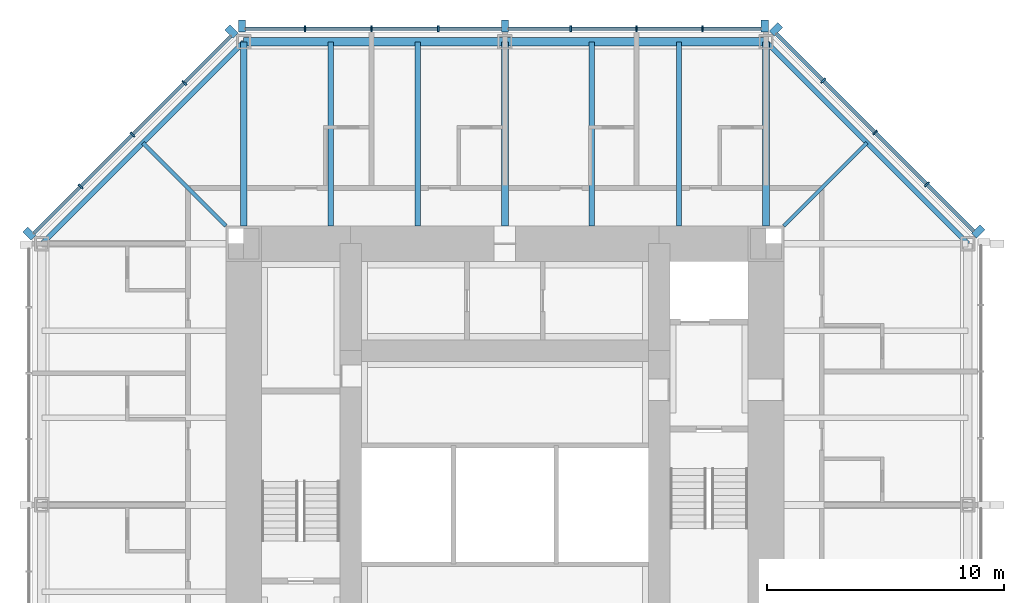
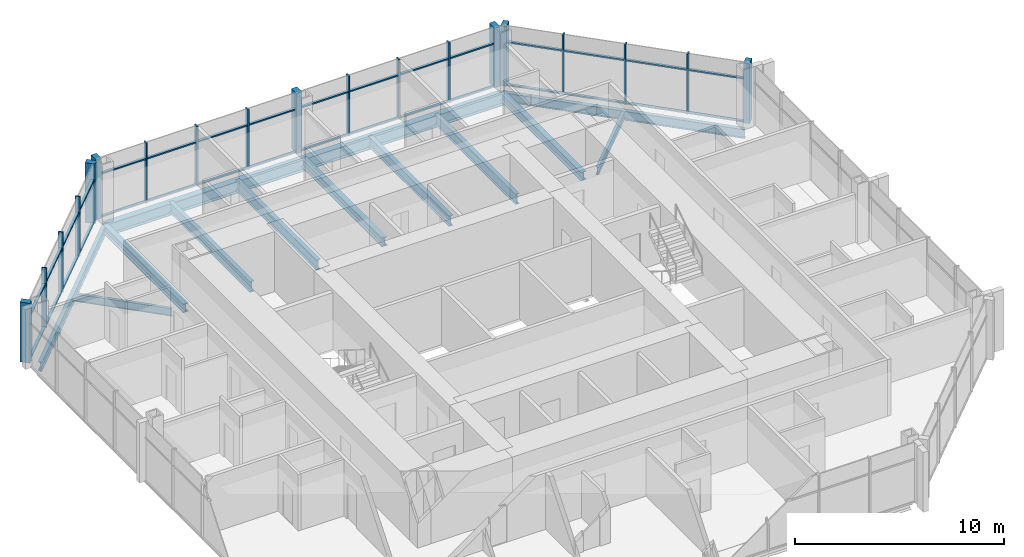
# One storey, part 5 of 12: 51 members, 13 beams, 3 elements without a shape of their own.
"""IFC4 building model written with IfcOpenShell, lengths in metres."""

from ifc_helpers import new_model, si_unit, direction, frame, origin, origin_2d, place, context, subcontext, project, spatial, rectangle, i_section, extrude, material, material_profile, profile_set, type_object, element, aggregate, save


model = new_model("IFC4")

# Units and contexts
model_context = context("Model", 3, precision=1e-05, world=origin(), true_north=direction((0.0, 1.0)))
body_context = subcontext(model_context, "Body", "Model", "MODEL_VIEW")
ifc_project = project(units=[si_unit("LENGTHUNIT", "METRE"), si_unit("AREAUNIT", "SQUARE_METRE"), si_unit("VOLUMEUNIT", "CUBIC_METRE"), si_unit("PLANEANGLEUNIT", "RADIAN"), si_unit("MASSUNIT", "GRAM", prefix="KILO")], contexts=[model_context])

# Site, building, storey
site_placement = place(None, origin())
site = spatial("IfcSite", under=ifc_project, at=site_placement, CompositionType="ELEMENT")
building_placement = place(site_placement, origin())
building = spatial("IfcBuilding", under=site, at=building_placement, Name="Trevanion Tower", CompositionType="ELEMENT")
storey_placement = place(building_placement, frame((0.0, 0.0, 197.699951171875)))
storey = spatial("IfcBuildingStorey", under=building, at=storey_placement, Name="L46", CompositionType="ELEMENT", Elevation=197.699951171875)

# Beams
ifc_material_1 = material(Name="Steel ASTM A992 Grade 50", Category="steel")
ifc_material_profile_1 = material_profile(ifc_material_1, i_section(OverallWidth=0.228271484375, OverallDepth=0.607177734375, WebThickness=0.01123046875, FlangeThickness=0.017333984375, at=origin_2d()), Name="W24X76")
ifc_profile_set_1 = profile_set([ifc_material_profile_1], Name="Steel ASTM A992 Grade 50")
beam_type_1 = type_object("IfcBeamType", Name="B11 W24X76", PredefinedType="BEAM", material=ifc_profile_set_1)
for number, where, z_axis, x_axis, name in (
    (1, (7.333251953125, 11.75, -0.493408203125), (0.0, 1.0, 0.0), (-1.0, 0.0, 0.0), "B11 L46"),
    (2, (3.666748046875, 11.75, -0.493408203125), (0.0, 1.0, 0.0), (-1.0, 0.0, 0.0), "B11 L46"),
    (3, (-3.666748046875, 11.75, -0.493408203125), (0.0, 1.0, 0.0), (-1.0, 0.0, 0.0), "B11 L46"),
    (4, (-7.333251953125, 11.75, -0.493408203125), (0.0, 1.0, 0.0), (-1.0, 0.0, 0.0), "B11 L46"),
):
    element("IfcBeam", number, at=place(storey_placement, frame(where, z_axis=z_axis, x_axis=x_axis)), inside=storey, type_object=beam_type_1, Name=name, PredefinedType="BEAM", context=body_context, shape_type="SweptSolid", body=[
        extrude(i_section(OverallWidth=0.228271484375, OverallDepth=0.607177734375, WebThickness=0.01123046875, FlangeThickness=0.017333984375, at=origin_2d()), origin(), (0.0, 0.0, 1.0), 7.75),
    ])
ifc_material_2 = material(Name="Steel ASTM A992 Grade 50", Category="steel")
ifc_material_profile_2 = material_profile(ifc_material_2, i_section(OverallWidth=0.15234375, OverallDepth=0.449462890625, WebThickness=0.007568359375, FlangeThickness=0.0107421875, at=origin_2d()), Name="W18X35")
ifc_profile_set_2 = profile_set([ifc_material_profile_2], Name="Steel ASTM A992 Grade 50")
beam_type_2 = type_object("IfcBeamType", Name="B12 W18X35", PredefinedType="BEAM", material=ifc_profile_set_2)
for number, where, z_axis, x_axis, name in (
    (5, (11.75, 11.75, -0.414794921875), (0.707106781187, 0.707106781187, 0.0), (-0.707106781187, 0.707106781187, 0.0), "B12 L46"),
    (6, (-11.75, 11.75, -0.414794921875), (-0.707106781187, 0.707106781187, 0.0), (-0.707106781187, -0.707106781187, 0.0), "B12 L46"),
):
    element("IfcBeam", number, at=place(storey_placement, frame(where, z_axis=z_axis, x_axis=x_axis)), inside=storey, type_object=beam_type_2, Name=name, PredefinedType="BEAM", context=body_context, shape_type="SweptSolid", body=[
        extrude(i_section(OverallWidth=0.15234375, OverallDepth=0.449462890625, WebThickness=0.007568359375, FlangeThickness=0.0107421875, at=origin_2d()), origin(), (0.0, 0.0, 1.0), 4.94970703125),
    ])

# Curtain wall, members
ifc_material_3 = material(Name="Aluminium and glass", Category="aluminium")
curtain_wall_type = type_object("IfcCurtainWallType", Name="CW3 curtain wall", PredefinedType="USERDEFINED", material=ifc_material_3)
curtain_wall_1_placement = place(storey_placement, origin())
curtain_wall_1 = element("IfcCurtainWall", 7, at=curtain_wall_1_placement, inside=storey, type_object=curtain_wall_type, Name="CW3 L46 1", ObjectType="UNITISED CURTAIN WALL", PredefinedType="USERDEFINED")
ifc_material_4 = material(Name="Aluminium extrusion, anodised bronze", Category="aluminium")
ifc_material_profile_3 = material_profile(ifc_material_4, rectangle(XDim=0.074951171875, YDim=0.25, at=origin_2d()), Name="CW3 mullion")
ifc_profile_set_3 = profile_set([ifc_material_profile_3], Name="Aluminium extrusion, anodised bronze")
member_type_1 = type_object("IfcMemberType", Name="CW3 mullion", PredefinedType="MULLION", material=ifc_profile_set_3)
member_1_placement = place(storey_placement, frame((17.775390625, 13.502197265625, -0.18994140625), z_axis=(0.0, 0.0, 1.0), x_axis=(-0.707106781187, 0.707106781187, 0.0)))
member_1 = element("IfcMember", 8, at=member_1_placement, type_object=member_type_1, Name="CW3 mullion 2", PredefinedType="MULLION", context=body_context, shape_type="SweptSolid", body=[
    extrude(rectangle(XDim=0.074951171875, YDim=0.25, at=origin_2d()), origin(), (0.0, 0.0, 1.0), 3.5),
])
member_2_placement = place(storey_placement, frame((15.593017578125, 15.684814453125, -0.18994140625), z_axis=(0.0, 0.0, 1.0), x_axis=(-0.707106781187, 0.707106781187, 0.0)))
member_2 = element("IfcMember", 9, at=member_2_placement, type_object=member_type_1, Name="CW3 mullion 3", PredefinedType="MULLION", context=body_context, shape_type="SweptSolid", body=[
    extrude(rectangle(XDim=0.074951171875, YDim=0.25, at=origin_2d()), origin(), (0.0, 0.0, 1.0), 3.5),
])
member_3_placement = place(storey_placement, frame((13.410400390625, 17.867431640625, -0.18994140625), z_axis=(0.0, 0.0, 1.0), x_axis=(-0.707106781187, 0.707106781187, 0.0)))
member_3 = element("IfcMember", 10, at=member_3_placement, type_object=member_type_1, Name="CW3 mullion 4", PredefinedType="MULLION", context=body_context, shape_type="SweptSolid", body=[
    extrude(rectangle(XDim=0.074951171875, YDim=0.25, at=origin_2d()), origin(), (0.0, 0.0, 1.0), 3.5),
])

curtain_wall_2_placement = place(storey_placement, origin())
curtain_wall_2 = element("IfcCurtainWall", 11, at=curtain_wall_2_placement, inside=storey, type_object=curtain_wall_type, Name="CW3 L46 2", ObjectType="UNITISED CURTAIN WALL", PredefinedType="USERDEFINED")
member_4_placement = place(storey_placement, frame((8.323486328125, 20.050048828125, -0.18994140625), z_axis=(0.0, 0.0, 1.0), x_axis=(-1.0, 0.0, 0.0)))
member_4 = element("IfcMember", 12, at=member_4_placement, type_object=member_type_1, Name="CW3 mullion 2", PredefinedType="MULLION", context=body_context, shape_type="SweptSolid", body=[
    extrude(rectangle(XDim=0.074951171875, YDim=0.25, at=origin_2d()), origin(), (0.0, 0.0, 1.0), 3.5),
])
member_5_placement = place(storey_placement, frame((5.548828125, 20.050048828125, -0.18994140625), z_axis=(0.0, 0.0, 1.0), x_axis=(-1.0, 0.0, 0.0)))
member_5 = element("IfcMember", 13, at=member_5_placement, type_object=member_type_1, Name="CW3 mullion 3", PredefinedType="MULLION", context=body_context, shape_type="SweptSolid", body=[
    extrude(rectangle(XDim=0.074951171875, YDim=0.25, at=origin_2d()), origin(), (0.0, 0.0, 1.0), 3.5),
])
member_6_placement = place(storey_placement, frame((2.7744140625, 20.050048828125, -0.18994140625), z_axis=(0.0, 0.0, 1.0), x_axis=(-1.0, 0.0, 0.0)))
member_6 = element("IfcMember", 14, at=member_6_placement, type_object=member_type_1, Name="CW3 mullion 4", PredefinedType="MULLION", context=body_context, shape_type="SweptSolid", body=[
    extrude(rectangle(XDim=0.074951171875, YDim=0.25, at=origin_2d()), origin(), (0.0, 0.0, 1.0), 3.5),
])
member_7_placement = place(storey_placement, frame((-2.806884765625, 20.050048828125, -0.18994140625), z_axis=(0.0, 0.0, 1.0), x_axis=(-1.0, 0.0, 0.0)))
member_7 = element("IfcMember", 15, at=member_7_placement, type_object=member_type_1, Name="CW3 mullion 6", PredefinedType="MULLION", context=body_context, shape_type="SweptSolid", body=[
    extrude(rectangle(XDim=0.074951171875, YDim=0.25, at=origin_2d()), origin(), (0.0, 0.0, 1.0), 3.5),
])
member_8_placement = place(storey_placement, frame((-5.614013671875, 20.050048828125, -0.18994140625), z_axis=(0.0, 0.0, 1.0), x_axis=(-1.0, 0.0, 0.0)))
member_8 = element("IfcMember", 16, at=member_8_placement, type_object=member_type_1, Name="CW3 mullion 7", PredefinedType="MULLION", context=body_context, shape_type="SweptSolid", body=[
    extrude(rectangle(XDim=0.074951171875, YDim=0.25, at=origin_2d()), origin(), (0.0, 0.0, 1.0), 3.5),
])
member_9_placement = place(storey_placement, frame((-8.4208984375, 20.050048828125, -0.18994140625), z_axis=(0.0, 0.0, 1.0), x_axis=(-1.0, 0.0, 0.0)))
member_9 = element("IfcMember", 17, at=member_9_placement, type_object=member_type_1, Name="CW3 mullion 8", PredefinedType="MULLION", context=body_context, shape_type="SweptSolid", body=[
    extrude(rectangle(XDim=0.074951171875, YDim=0.25, at=origin_2d()), origin(), (0.0, 0.0, 1.0), 3.5),
])

curtain_wall_3_placement = place(storey_placement, origin())
curtain_wall_3 = element("IfcCurtainWall", 18, at=curtain_wall_3_placement, inside=storey, type_object=curtain_wall_type, Name="CW3 L46 3", ObjectType="UNITISED CURTAIN WALL", PredefinedType="USERDEFINED")
member_10_placement = place(storey_placement, frame((-13.502197265625, 17.775390625, -0.18994140625), z_axis=(0.0, 0.0, 1.0), x_axis=(-0.707106781187, -0.707106781187, 0.0)))
member_10 = element("IfcMember", 19, at=member_10_placement, type_object=member_type_1, Name="CW3 mullion 2", PredefinedType="MULLION", context=body_context, shape_type="SweptSolid", body=[
    extrude(rectangle(XDim=0.074951171875, YDim=0.25, at=origin_2d()), origin(), (0.0, 0.0, 1.0), 3.5),
])
member_11_placement = place(storey_placement, frame((-15.684814453125, 15.593017578125, -0.18994140625), z_axis=(0.0, 0.0, 1.0), x_axis=(-0.707106781187, -0.707106781187, 0.0)))
member_11 = element("IfcMember", 20, at=member_11_placement, type_object=member_type_1, Name="CW3 mullion 3", PredefinedType="MULLION", context=body_context, shape_type="SweptSolid", body=[
    extrude(rectangle(XDim=0.074951171875, YDim=0.25, at=origin_2d()), origin(), (0.0, 0.0, 1.0), 3.5),
])
member_12_placement = place(storey_placement, frame((-17.867431640625, 13.410400390625, -0.18994140625), z_axis=(0.0, 0.0, 1.0), x_axis=(-0.707106781187, -0.707106781187, 0.0)))
member_12 = element("IfcMember", 21, at=member_12_placement, type_object=member_type_1, Name="CW3 mullion 4", PredefinedType="MULLION", context=body_context, shape_type="SweptSolid", body=[
    extrude(rectangle(XDim=0.074951171875, YDim=0.25, at=origin_2d()), origin(), (0.0, 0.0, 1.0), 3.5),
])

# Member
ifc_material_5 = material(Name="Aluminium extrusion, anodised bronze", Category="aluminium")
ifc_material_profile_4 = material_profile(ifc_material_5, rectangle(XDim=0.300048828125, YDim=0.5, at=origin_2d()), Name="CW3 pier mullion")
ifc_profile_set_4 = profile_set([ifc_material_profile_4], Name="Aluminium extrusion, anodised bronze")
member_type_2 = type_object("IfcMemberType", Name="CW3 pier mullion", PredefinedType="MULLION", material=ifc_profile_set_4)
member_13_placement = place(storey_placement, frame((19.9404296875, 11.51416015625, -0.18994140625), z_axis=(0.0, 0.0, 1.0), x_axis=(-0.707106781187, 0.707106781187, 0.0)))
member_13 = element("IfcMember", 22, at=member_13_placement, type_object=member_type_2, Name="CW3 pier mullion 1", PredefinedType="MULLION", context=body_context, shape_type="SweptSolid", body=[
    extrude(rectangle(XDim=0.300048828125, YDim=0.5, at=origin_2d()), origin(), (0.0, 0.0, 1.0), 3.5),
])

member_14_placement = place(storey_placement, frame((11.42236328125, 20.0322265625, -0.18994140625), z_axis=(0.0, 0.0, 1.0), x_axis=(-0.707106781187, 0.707106781187, 0.0)))
member_14 = element("IfcMember", 23, at=member_14_placement, type_object=member_type_2, Name="CW3 pier mullion 5", PredefinedType="MULLION", context=body_context, shape_type="SweptSolid", body=[
    extrude(rectangle(XDim=0.300048828125, YDim=0.5, at=origin_2d()), origin(), (0.0, 0.0, 1.0), 3.5),
])

member_15_placement = place(storey_placement, frame((10.94775390625, 20.175048828125, -0.18994140625), z_axis=(0.0, 0.0, 1.0), x_axis=(-1.0, 0.0, 0.0)))
member_15 = element("IfcMember", 24, at=member_15_placement, type_object=member_type_2, Name="CW3 pier mullion 1", PredefinedType="MULLION", context=body_context, shape_type="SweptSolid", body=[
    extrude(rectangle(XDim=0.300048828125, YDim=0.5, at=origin_2d()), origin(), (0.0, 0.0, 1.0), 3.5),
])

member_16_placement = place(storey_placement, frame((0.0, 20.175048828125, -0.18994140625), z_axis=(0.0, 0.0, 1.0), x_axis=(-1.0, 0.0, 0.0)))
member_16 = element("IfcMember", 25, at=member_16_placement, type_object=member_type_2, Name="CW3 pier mullion 5", PredefinedType="MULLION", context=body_context, shape_type="SweptSolid", body=[
    extrude(rectangle(XDim=0.300048828125, YDim=0.5, at=origin_2d()), origin(), (0.0, 0.0, 1.0), 3.5),
])

member_17_placement = place(storey_placement, frame((-11.077880859375, 20.175048828125, -0.18994140625), z_axis=(0.0, 0.0, 1.0), x_axis=(-1.0, 0.0, 0.0)))
member_17 = element("IfcMember", 26, at=member_17_placement, type_object=member_type_2, Name="CW3 pier mullion 9", PredefinedType="MULLION", context=body_context, shape_type="SweptSolid", body=[
    extrude(rectangle(XDim=0.300048828125, YDim=0.5, at=origin_2d()), origin(), (0.0, 0.0, 1.0), 3.5),
])

member_18_placement = place(storey_placement, frame((-11.51416015625, 19.9404296875, -0.18994140625), z_axis=(0.0, 0.0, 1.0), x_axis=(-0.707106781187, -0.707106781187, 0.0)))
member_18 = element("IfcMember", 27, at=member_18_placement, type_object=member_type_2, Name="CW3 pier mullion 1", PredefinedType="MULLION", context=body_context, shape_type="SweptSolid", body=[
    extrude(rectangle(XDim=0.300048828125, YDim=0.5, at=origin_2d()), origin(), (0.0, 0.0, 1.0), 3.5),
])

member_19_placement = place(storey_placement, frame((-20.0322265625, 11.42236328125, -0.18994140625), z_axis=(0.0, 0.0, 1.0), x_axis=(-0.707106781187, -0.707106781187, 0.0)))
member_19 = element("IfcMember", 28, at=member_19_placement, type_object=member_type_2, Name="CW3 pier mullion 5", PredefinedType="MULLION", context=body_context, shape_type="SweptSolid", body=[
    extrude(rectangle(XDim=0.300048828125, YDim=0.5, at=origin_2d()), origin(), (0.0, 0.0, 1.0), 3.5),
])

ifc_material_6 = material(Name="Aluminium extrusion, anodised bronze", Category="aluminium")
ifc_material_profile_5 = material_profile(ifc_material_6, rectangle(XDim=0.14990234375, YDim=0.074951171875, at=origin_2d()), Name="CW3 transom")
ifc_profile_set_5 = profile_set([ifc_material_profile_5], Name="Aluminium extrusion, anodised bronze")
member_type_3 = type_object("IfcMemberType", Name="CW3 transom", PredefinedType="USERDEFINED", material=ifc_profile_set_5)
member_20_placement = place(storey_placement, frame((19.745849609375, 11.531982421875, -0.15234375), z_axis=(-0.707106781187, 0.707106781187, 0.0), x_axis=(-0.707106781187, -0.707106781187, 0.0)))
member_20 = element("IfcMember", 29, at=member_20_placement, type_object=member_type_3, Name="CW3 transom 1.1", ObjectType="TRANSOM", PredefinedType="USERDEFINED", context=body_context, shape_type="SweptSolid", body=[
    extrude(rectangle(XDim=0.14990234375, YDim=0.074951171875, at=origin_2d()), origin(), (0.0, 0.0, 1.0), 2.7490234375),
])

member_21_placement = place(storey_placement, frame((19.745849609375, 11.531982421875, 2.360107421875), z_axis=(-0.707106781187, 0.707106781187, 0.0), x_axis=(-0.707106781187, -0.707106781187, 0.0)))
member_21 = element("IfcMember", 30, at=member_21_placement, type_object=member_type_3, Name="CW3 transom 1.2", ObjectType="TRANSOM", PredefinedType="USERDEFINED", context=body_context, shape_type="SweptSolid", body=[
    extrude(rectangle(XDim=0.14990234375, YDim=0.074951171875, at=origin_2d()), origin(), (0.0, 0.0, 1.0), 2.7490234375),
])

member_22_placement = place(storey_placement, frame((17.7490234375, 13.52880859375, -0.15234375), z_axis=(-0.707106781187, 0.707106781187, 0.0), x_axis=(-0.707106781187, -0.707106781187, 0.0)))
member_22 = element("IfcMember", 31, at=member_22_placement, type_object=member_type_3, Name="CW3 transom 2.1", ObjectType="TRANSOM", PredefinedType="USERDEFINED", context=body_context, shape_type="SweptSolid", body=[
    extrude(rectangle(XDim=0.14990234375, YDim=0.074951171875, at=origin_2d()), origin(), (0.0, 0.0, 1.0), 3.01171875),
])

member_23_placement = place(storey_placement, frame((17.7490234375, 13.52880859375, 2.360107421875), z_axis=(-0.707106781187, 0.707106781187, 0.0), x_axis=(-0.707106781187, -0.707106781187, 0.0)))
member_23 = element("IfcMember", 32, at=member_23_placement, type_object=member_type_3, Name="CW3 transom 2.2", ObjectType="TRANSOM", PredefinedType="USERDEFINED", context=body_context, shape_type="SweptSolid", body=[
    extrude(rectangle(XDim=0.14990234375, YDim=0.074951171875, at=origin_2d()), origin(), (0.0, 0.0, 1.0), 3.01171875),
])

member_24_placement = place(storey_placement, frame((15.56640625, 15.71142578125, -0.15234375), z_axis=(-0.707106781187, 0.707106781187, 0.0), x_axis=(-0.707106781187, -0.707106781187, 0.0)))
member_24 = element("IfcMember", 33, at=member_24_placement, type_object=member_type_3, Name="CW3 transom 3.1", ObjectType="TRANSOM", PredefinedType="USERDEFINED", context=body_context, shape_type="SweptSolid", body=[
    extrude(rectangle(XDim=0.14990234375, YDim=0.074951171875, at=origin_2d()), origin(), (0.0, 0.0, 1.0), 3.011474609375),
])

member_25_placement = place(storey_placement, frame((15.56640625, 15.71142578125, 2.360107421875), z_axis=(-0.707106781187, 0.707106781187, 0.0), x_axis=(-0.707106781187, -0.707106781187, 0.0)))
member_25 = element("IfcMember", 34, at=member_25_placement, type_object=member_type_3, Name="CW3 transom 3.2", ObjectType="TRANSOM", PredefinedType="USERDEFINED", context=body_context, shape_type="SweptSolid", body=[
    extrude(rectangle(XDim=0.14990234375, YDim=0.074951171875, at=origin_2d()), origin(), (0.0, 0.0, 1.0), 3.011474609375),
])

member_26_placement = place(storey_placement, frame((13.3837890625, 17.89404296875, -0.15234375), z_axis=(-0.707106781187, 0.707106781187, 0.0), x_axis=(-0.707106781187, -0.707106781187, 0.0)))
member_26 = element("IfcMember", 35, at=member_26_placement, type_object=member_type_3, Name="CW3 transom 4.1", ObjectType="TRANSOM", PredefinedType="USERDEFINED", context=body_context, shape_type="SweptSolid", body=[
    extrude(rectangle(XDim=0.14990234375, YDim=0.074951171875, at=origin_2d()), origin(), (0.0, 0.0, 1.0), 2.7490234375),
])

member_27_placement = place(storey_placement, frame((13.3837890625, 17.89404296875, 2.360107421875), z_axis=(-0.707106781187, 0.707106781187, 0.0), x_axis=(-0.707106781187, -0.707106781187, 0.0)))
member_27 = element("IfcMember", 36, at=member_27_placement, type_object=member_type_3, Name="CW3 transom 4.2", ObjectType="TRANSOM", PredefinedType="USERDEFINED", context=body_context, shape_type="SweptSolid", body=[
    extrude(rectangle(XDim=0.14990234375, YDim=0.074951171875, at=origin_2d()), origin(), (0.0, 0.0, 1.0), 2.7490234375),
])

aggregate(curtain_wall_1, [member_13, member_1, member_2, member_3, member_14, member_20, member_21, member_22, member_23, member_24, member_25, member_26, member_27])

member_28_placement = place(storey_placement, frame((10.7978515625, 20.050048828125, -0.15234375), z_axis=(-1.0, 0.0, 0.0), x_axis=(0.0, -1.0, 0.0)))
member_28 = element("IfcMember", 37, at=member_28_placement, type_object=member_type_3, Name="CW3 transom 1.1", ObjectType="TRANSOM", PredefinedType="USERDEFINED", context=body_context, shape_type="SweptSolid", body=[
    extrude(rectangle(XDim=0.14990234375, YDim=0.074951171875, at=origin_2d()), origin(), (0.0, 0.0, 1.0), 2.43701171875),
])

member_29_placement = place(storey_placement, frame((10.7978515625, 20.050048828125, 2.360107421875), z_axis=(-1.0, 0.0, 0.0), x_axis=(0.0, -1.0, 0.0)))
member_29 = element("IfcMember", 38, at=member_29_placement, type_object=member_type_3, Name="CW3 transom 1.2", ObjectType="TRANSOM", PredefinedType="USERDEFINED", context=body_context, shape_type="SweptSolid", body=[
    extrude(rectangle(XDim=0.14990234375, YDim=0.074951171875, at=origin_2d()), origin(), (0.0, 0.0, 1.0), 2.43701171875),
])

member_30_placement = place(storey_placement, frame((8.285888671875, 20.050048828125, -0.15234375), z_axis=(-1.0, 0.0, 0.0), x_axis=(0.0, -1.0, 0.0)))
member_30 = element("IfcMember", 39, at=member_30_placement, type_object=member_type_3, Name="CW3 transom 2.1", ObjectType="TRANSOM", PredefinedType="USERDEFINED", context=body_context, shape_type="SweptSolid", body=[
    extrude(rectangle(XDim=0.14990234375, YDim=0.074951171875, at=origin_2d()), origin(), (0.0, 0.0, 1.0), 2.699462890625),
])

member_31_placement = place(storey_placement, frame((8.285888671875, 20.050048828125, 2.360107421875), z_axis=(-1.0, 0.0, 0.0), x_axis=(0.0, -1.0, 0.0)))
member_31 = element("IfcMember", 40, at=member_31_placement, type_object=member_type_3, Name="CW3 transom 2.2", ObjectType="TRANSOM", PredefinedType="USERDEFINED", context=body_context, shape_type="SweptSolid", body=[
    extrude(rectangle(XDim=0.14990234375, YDim=0.074951171875, at=origin_2d()), origin(), (0.0, 0.0, 1.0), 2.699462890625),
])

member_32_placement = place(storey_placement, frame((5.511474609375, 20.050048828125, -0.15234375), z_axis=(-1.0, 0.0, 0.0), x_axis=(0.0, -1.0, 0.0)))
member_32 = element("IfcMember", 41, at=member_32_placement, type_object=member_type_3, Name="CW3 transom 3.1", ObjectType="TRANSOM", PredefinedType="USERDEFINED", context=body_context, shape_type="SweptSolid", body=[
    extrude(rectangle(XDim=0.14990234375, YDim=0.074951171875, at=origin_2d()), origin(), (0.0, 0.0, 1.0), 2.699462890625),
])

member_33_placement = place(storey_placement, frame((5.511474609375, 20.050048828125, 2.360107421875), z_axis=(-1.0, 0.0, 0.0), x_axis=(0.0, -1.0, 0.0)))
member_33 = element("IfcMember", 42, at=member_33_placement, type_object=member_type_3, Name="CW3 transom 3.2", ObjectType="TRANSOM", PredefinedType="USERDEFINED", context=body_context, shape_type="SweptSolid", body=[
    extrude(rectangle(XDim=0.14990234375, YDim=0.074951171875, at=origin_2d()), origin(), (0.0, 0.0, 1.0), 2.699462890625),
])

member_34_placement = place(storey_placement, frame((2.737060546875, 20.050048828125, -0.15234375), z_axis=(-1.0, 0.0, 0.0), x_axis=(0.0, -1.0, 0.0)))
member_34 = element("IfcMember", 43, at=member_34_placement, type_object=member_type_3, Name="CW3 transom 4.1", ObjectType="TRANSOM", PredefinedType="USERDEFINED", context=body_context, shape_type="SweptSolid", body=[
    extrude(rectangle(XDim=0.14990234375, YDim=0.074951171875, at=origin_2d()), origin(), (0.0, 0.0, 1.0), 2.587158203125),
])

member_35_placement = place(storey_placement, frame((2.737060546875, 20.050048828125, 2.360107421875), z_axis=(-1.0, 0.0, 0.0), x_axis=(0.0, -1.0, 0.0)))
member_35 = element("IfcMember", 44, at=member_35_placement, type_object=member_type_3, Name="CW3 transom 4.2", ObjectType="TRANSOM", PredefinedType="USERDEFINED", context=body_context, shape_type="SweptSolid", body=[
    extrude(rectangle(XDim=0.14990234375, YDim=0.074951171875, at=origin_2d()), origin(), (0.0, 0.0, 1.0), 2.587158203125),
])

member_36_placement = place(storey_placement, frame((-0.14990234375, 20.050048828125, -0.15234375), z_axis=(-1.0, 0.0, 0.0), x_axis=(0.0, -1.0, 0.0)))
member_36 = element("IfcMember", 45, at=member_36_placement, type_object=member_type_3, Name="CW3 transom 5.1", ObjectType="TRANSOM", PredefinedType="USERDEFINED", context=body_context, shape_type="SweptSolid", body=[
    extrude(rectangle(XDim=0.14990234375, YDim=0.074951171875, at=origin_2d()), origin(), (0.0, 0.0, 1.0), 2.619384765625),
])

member_37_placement = place(storey_placement, frame((-0.14990234375, 20.050048828125, 2.360107421875), z_axis=(-1.0, 0.0, 0.0), x_axis=(0.0, -1.0, 0.0)))
member_37 = element("IfcMember", 46, at=member_37_placement, type_object=member_type_3, Name="CW3 transom 5.2", ObjectType="TRANSOM", PredefinedType="USERDEFINED", context=body_context, shape_type="SweptSolid", body=[
    extrude(rectangle(XDim=0.14990234375, YDim=0.074951171875, at=origin_2d()), origin(), (0.0, 0.0, 1.0), 2.619384765625),
])

member_38_placement = place(storey_placement, frame((-2.844482421875, 20.050048828125, -0.15234375), z_axis=(-1.0, 0.0, 0.0), x_axis=(0.0, -1.0, 0.0)))
member_38 = element("IfcMember", 47, at=member_38_placement, type_object=member_type_3, Name="CW3 transom 6.1", ObjectType="TRANSOM", PredefinedType="USERDEFINED", context=body_context, shape_type="SweptSolid", body=[
    extrude(rectangle(XDim=0.14990234375, YDim=0.074951171875, at=origin_2d()), origin(), (0.0, 0.0, 1.0), 2.73193359375),
])

member_39_placement = place(storey_placement, frame((-2.844482421875, 20.050048828125, 2.360107421875), z_axis=(-1.0, 0.0, 0.0), x_axis=(0.0, -1.0, 0.0)))
member_39 = element("IfcMember", 48, at=member_39_placement, type_object=member_type_3, Name="CW3 transom 6.2", ObjectType="TRANSOM", PredefinedType="USERDEFINED", context=body_context, shape_type="SweptSolid", body=[
    extrude(rectangle(XDim=0.14990234375, YDim=0.074951171875, at=origin_2d()), origin(), (0.0, 0.0, 1.0), 2.73193359375),
])

member_40_placement = place(storey_placement, frame((-5.6513671875, 20.050048828125, -0.15234375), z_axis=(-1.0, 0.0, 0.0), x_axis=(0.0, -1.0, 0.0)))
member_40 = element("IfcMember", 49, at=member_40_placement, type_object=member_type_3, Name="CW3 transom 7.1", ObjectType="TRANSOM", PredefinedType="USERDEFINED", context=body_context, shape_type="SweptSolid", body=[
    extrude(rectangle(XDim=0.14990234375, YDim=0.074951171875, at=origin_2d()), origin(), (0.0, 0.0, 1.0), 2.73193359375),
])

member_41_placement = place(storey_placement, frame((-5.6513671875, 20.050048828125, 2.360107421875), z_axis=(-1.0, 0.0, 0.0), x_axis=(0.0, -1.0, 0.0)))
member_41 = element("IfcMember", 50, at=member_41_placement, type_object=member_type_3, Name="CW3 transom 7.2", ObjectType="TRANSOM", PredefinedType="USERDEFINED", context=body_context, shape_type="SweptSolid", body=[
    extrude(rectangle(XDim=0.14990234375, YDim=0.074951171875, at=origin_2d()), origin(), (0.0, 0.0, 1.0), 2.73193359375),
])

member_42_placement = place(storey_placement, frame((-8.45849609375, 20.050048828125, -0.15234375), z_axis=(-1.0, 0.0, 0.0), x_axis=(0.0, -1.0, 0.0)))
member_42 = element("IfcMember", 51, at=member_42_placement, type_object=member_type_3, Name="CW3 transom 8.1", ObjectType="TRANSOM", PredefinedType="USERDEFINED", context=body_context, shape_type="SweptSolid", body=[
    extrude(rectangle(XDim=0.14990234375, YDim=0.074951171875, at=origin_2d()), origin(), (0.0, 0.0, 1.0), 2.46923828125),
])

member_43_placement = place(storey_placement, frame((-8.45849609375, 20.050048828125, 2.360107421875), z_axis=(-1.0, 0.0, 0.0), x_axis=(0.0, -1.0, 0.0)))
member_43 = element("IfcMember", 52, at=member_43_placement, type_object=member_type_3, Name="CW3 transom 8.2", ObjectType="TRANSOM", PredefinedType="USERDEFINED", context=body_context, shape_type="SweptSolid", body=[
    extrude(rectangle(XDim=0.14990234375, YDim=0.074951171875, at=origin_2d()), origin(), (0.0, 0.0, 1.0), 2.46923828125),
])

aggregate(curtain_wall_2, [member_15, member_4, member_5, member_6, member_16, member_7, member_8, member_9, member_17, member_28, member_29, member_30, member_31, member_32, member_33, member_34, member_35, member_36, member_37, member_38, member_39, member_40, member_41, member_42, member_43])

member_44_placement = place(storey_placement, frame((-11.531982421875, 19.745849609375, -0.15234375), z_axis=(-0.707106781187, -0.707106781187, 0.0), x_axis=(0.707106781187, -0.707106781187, 0.0)))
member_44 = element("IfcMember", 53, at=member_44_placement, type_object=member_type_3, Name="CW3 transom 1.1", ObjectType="TRANSOM", PredefinedType="USERDEFINED", context=body_context, shape_type="SweptSolid", body=[
    extrude(rectangle(XDim=0.14990234375, YDim=0.074951171875, at=origin_2d()), origin(), (0.0, 0.0, 1.0), 2.7490234375),
])

member_45_placement = place(storey_placement, frame((-11.531982421875, 19.745849609375, 2.360107421875), z_axis=(-0.707106781187, -0.707106781187, 0.0), x_axis=(0.707106781187, -0.707106781187, 0.0)))
member_45 = element("IfcMember", 54, at=member_45_placement, type_object=member_type_3, Name="CW3 transom 1.2", ObjectType="TRANSOM", PredefinedType="USERDEFINED", context=body_context, shape_type="SweptSolid", body=[
    extrude(rectangle(XDim=0.14990234375, YDim=0.074951171875, at=origin_2d()), origin(), (0.0, 0.0, 1.0), 2.7490234375),
])

member_46_placement = place(storey_placement, frame((-13.52880859375, 17.7490234375, -0.15234375), z_axis=(-0.707106781187, -0.707106781187, 0.0), x_axis=(0.707106781187, -0.707106781187, 0.0)))
member_46 = element("IfcMember", 55, at=member_46_placement, type_object=member_type_3, Name="CW3 transom 2.1", ObjectType="TRANSOM", PredefinedType="USERDEFINED", context=body_context, shape_type="SweptSolid", body=[
    extrude(rectangle(XDim=0.14990234375, YDim=0.074951171875, at=origin_2d()), origin(), (0.0, 0.0, 1.0), 3.01171875),
])

member_47_placement = place(storey_placement, frame((-13.52880859375, 17.7490234375, 2.360107421875), z_axis=(-0.707106781187, -0.707106781187, 0.0), x_axis=(0.707106781187, -0.707106781187, 0.0)))
member_47 = element("IfcMember", 56, at=member_47_placement, type_object=member_type_3, Name="CW3 transom 2.2", ObjectType="TRANSOM", PredefinedType="USERDEFINED", context=body_context, shape_type="SweptSolid", body=[
    extrude(rectangle(XDim=0.14990234375, YDim=0.074951171875, at=origin_2d()), origin(), (0.0, 0.0, 1.0), 3.01171875),
])

member_48_placement = place(storey_placement, frame((-15.71142578125, 15.56640625, -0.15234375), z_axis=(-0.707106781187, -0.707106781187, 0.0), x_axis=(0.707106781187, -0.707106781187, 0.0)))
member_48 = element("IfcMember", 57, at=member_48_placement, type_object=member_type_3, Name="CW3 transom 3.1", ObjectType="TRANSOM", PredefinedType="USERDEFINED", context=body_context, shape_type="SweptSolid", body=[
    extrude(rectangle(XDim=0.14990234375, YDim=0.074951171875, at=origin_2d()), origin(), (0.0, 0.0, 1.0), 3.011474609375),
])

member_49_placement = place(storey_placement, frame((-15.71142578125, 15.56640625, 2.360107421875), z_axis=(-0.707106781187, -0.707106781187, 0.0), x_axis=(0.707106781187, -0.707106781187, 0.0)))
member_49 = element("IfcMember", 58, at=member_49_placement, type_object=member_type_3, Name="CW3 transom 3.2", ObjectType="TRANSOM", PredefinedType="USERDEFINED", context=body_context, shape_type="SweptSolid", body=[
    extrude(rectangle(XDim=0.14990234375, YDim=0.074951171875, at=origin_2d()), origin(), (0.0, 0.0, 1.0), 3.011474609375),
])

member_50_placement = place(storey_placement, frame((-17.89404296875, 13.3837890625, -0.15234375), z_axis=(-0.707106781187, -0.707106781187, 0.0), x_axis=(0.707106781187, -0.707106781187, 0.0)))
member_50 = element("IfcMember", 59, at=member_50_placement, type_object=member_type_3, Name="CW3 transom 4.1", ObjectType="TRANSOM", PredefinedType="USERDEFINED", context=body_context, shape_type="SweptSolid", body=[
    extrude(rectangle(XDim=0.14990234375, YDim=0.074951171875, at=origin_2d()), origin(), (0.0, 0.0, 1.0), 2.7490234375),
])

member_51_placement = place(storey_placement, frame((-17.89404296875, 13.3837890625, 2.360107421875), z_axis=(-0.707106781187, -0.707106781187, 0.0), x_axis=(0.707106781187, -0.707106781187, 0.0)))
member_51 = element("IfcMember", 60, at=member_51_placement, type_object=member_type_3, Name="CW3 transom 4.2", ObjectType="TRANSOM", PredefinedType="USERDEFINED", context=body_context, shape_type="SweptSolid", body=[
    extrude(rectangle(XDim=0.14990234375, YDim=0.074951171875, at=origin_2d()), origin(), (0.0, 0.0, 1.0), 2.7490234375),
])

aggregate(curtain_wall_3, [member_18, member_10, member_11, member_12, member_19, member_44, member_45, member_46, member_47, member_48, member_49, member_50, member_51])

# Beams
ifc_material_7 = material(Name="Steel ASTM A992 Grade 50", Category="steel")
ifc_material_profile_6 = material_profile(ifc_material_7, i_section(OverallWidth=0.28955078125, OverallDepth=0.508056640625, WebThickness=0.022705078125, FlangeThickness=0.040283203125, at=origin_2d()), Name="W18X175")
ifc_profile_set_6 = profile_set([ifc_material_profile_6], Name="Steel ASTM A992 Grade 50")
beam_type_3 = type_object("IfcBeamType", Name="G6 W18X175", PredefinedType="BEAM", material=ifc_profile_set_6)
for number, where, z_axis, x_axis, name in (
    (61, (11.0, 11.75, -0.44384765625), (0.0, 1.0, 0.0), (-1.0, 0.0, 0.0), "G6 L46"),
    (62, (0.0, 11.75, -0.44384765625), (0.0, 1.0, 0.0), (-1.0, 0.0, 0.0), "G6 L46"),
    (63, (-11.0, 11.75, -0.44384765625), (0.0, 1.0, 0.0), (-1.0, 0.0, 0.0), "G6 L46"),
):
    element("IfcBeam", number, at=place(storey_placement, frame(where, z_axis=z_axis, x_axis=x_axis)), inside=storey, type_object=beam_type_3, Name=name, PredefinedType="BEAM", context=body_context, shape_type="SweptSolid", body=[
        extrude(i_section(OverallWidth=0.28955078125, OverallDepth=0.508056640625, WebThickness=0.022705078125, FlangeThickness=0.040283203125, at=origin_2d()), origin(), (0.0, 0.0, 1.0), 7.75),
    ])
ifc_material_8 = material(Name="Steel ASTM A992 Grade 50", Category="steel")
ifc_material_profile_7 = material_profile(ifc_material_8, i_section(OverallWidth=0.355712890625, OverallDepth=0.696044921875, WebThickness=0.015380859375, FlangeThickness=0.024658203125, at=origin_2d()), Name="W27X146")
ifc_profile_set_7 = profile_set([ifc_material_profile_7], Name="Steel ASTM A992 Grade 50")
beam_type_4 = type_object("IfcBeamType", Name="SB8 W27X146", PredefinedType="SPANDREL", material=ifc_profile_set_7)
for number, where, z_axis, x_axis, name in (
    (64, (11.0, 19.5, -0.537841796875), (-1.0, 0.0, 0.0), (0.0, -1.0, 0.0), "SB8 L46"),
    (65, (0.0, 19.5, -0.537841796875), (-1.0, 0.0, 0.0), (0.0, -1.0, 0.0), "SB8 L46"),
):
    element("IfcBeam", number, at=place(storey_placement, frame(where, z_axis=z_axis, x_axis=x_axis)), inside=storey, type_object=beam_type_4, Name=name, PredefinedType="SPANDREL", context=body_context, shape_type="SweptSolid", body=[
        extrude(i_section(OverallWidth=0.355712890625, OverallDepth=0.696044921875, WebThickness=0.015380859375, FlangeThickness=0.024658203125, at=origin_2d()), origin(), (0.0, 0.0, 1.0), 11.0),
    ])
ifc_material_9 = material(Name="Steel ASTM A992 Grade 50", Category="steel")
ifc_material_profile_8 = material_profile(ifc_material_9, i_section(OverallWidth=0.209228515625, OverallDepth=0.533447265625, WebThickness=0.01025390625, FlangeThickness=0.015625, at=origin_2d()), Name="W21X62")
ifc_profile_set_8 = profile_set([ifc_material_profile_8], Name="Steel ASTM A992 Grade 50")
beam_type_5 = type_object("IfcBeamType", Name="SB9 W21X62", PredefinedType="SPANDREL", material=ifc_profile_set_8)
for number, where, z_axis, x_axis, name in (
    (66, (19.5, 11.0, -0.45654296875), (-0.707106781187, 0.707106781187, 0.0), (-0.707106781187, -0.707106781187, 0.0), "SB9 L46"),
    (67, (-11.0, 19.5, -0.45654296875), (-0.707106781187, -0.707106781187, 0.0), (0.707106781187, -0.707106781187, 0.0), "SB9 L46"),
):
    element("IfcBeam", number, at=place(storey_placement, frame(where, z_axis=z_axis, x_axis=x_axis)), inside=storey, type_object=beam_type_5, Name=name, PredefinedType="SPANDREL", context=body_context, shape_type="SweptSolid", body=[
        extrude(i_section(OverallWidth=0.209228515625, OverallDepth=0.533447265625, WebThickness=0.01025390625, FlangeThickness=0.015625, at=origin_2d()), origin(), (0.0, 0.0, 1.0), 12.020751953125),
    ])

save(model, "model.ifc")
